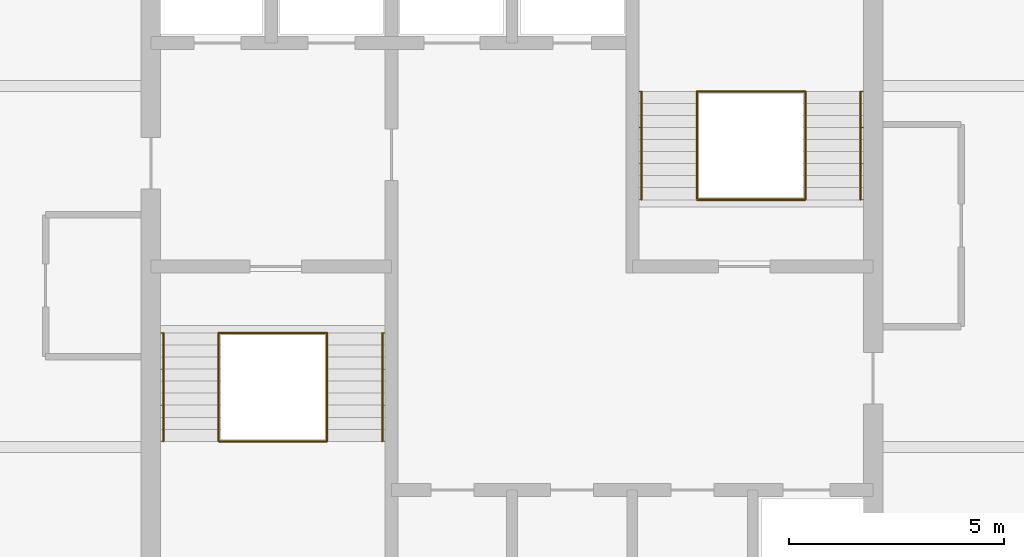
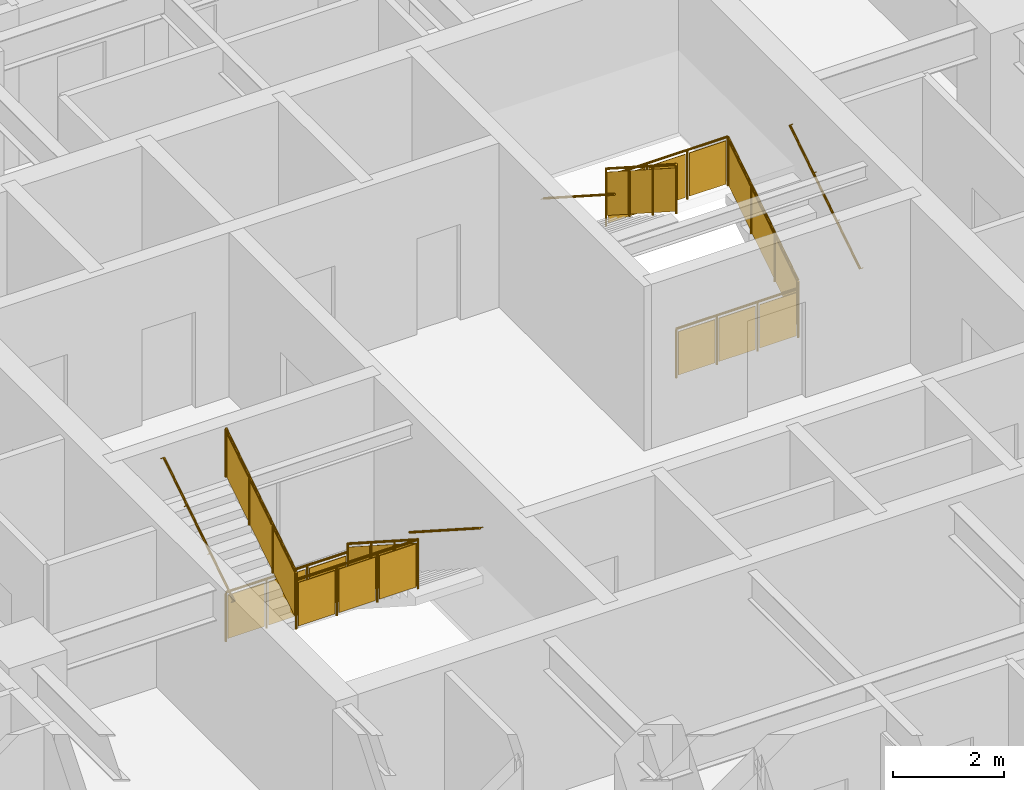
# One storey, part 10 of 10: 12 railings.
"""IFC4 building model written with IfcOpenShell, lengths in metres."""

from ifc_helpers import new_model, si_unit, direction, frame, origin, origin_2d, place, context, subcontext, project, spatial, polyline, circle, outline, extrude, material, type_object, element, save


model = new_model("IFC4")

# Units and contexts
model_context = context("Model", 3, precision=1e-05, world=origin(), true_north=direction((0.0, 1.0)))
body_context = subcontext(model_context, "Body", "Model", "MODEL_VIEW")
ifc_project = project(units=[si_unit("LENGTHUNIT", "METRE"), si_unit("AREAUNIT", "SQUARE_METRE"), si_unit("VOLUMEUNIT", "CUBIC_METRE"), si_unit("PLANEANGLEUNIT", "RADIAN"), si_unit("MASSUNIT", "GRAM", prefix="KILO")], contexts=[model_context])

# Site, building, storey
site_placement = place(None, origin())
site = spatial("IfcSite", under=ifc_project, at=site_placement, CompositionType="ELEMENT")
building_placement = place(site_placement, origin())
building = spatial("IfcBuilding", under=site, at=building_placement, Name="Torre Alcanfor", CompositionType="ELEMENT")
storey_placement = place(building_placement, frame((0.0, 0.0, 275.699951171875)))
storey = spatial("IfcBuildingStorey", under=building, at=storey_placement, Name="L72", CompositionType="ELEMENT", Elevation=275.699951171875)

# Railings
ifc_material_1 = material(Name="Steel ASTM A500 Grade C hollow sections", Category="steel")
railing_type_1 = type_object("IfcRailingType", Name="Stair guard and handrail 1100", PredefinedType="GUARDRAIL", material=ifc_material_1)
railing_1_placement = place(storey_placement, frame((25.10009765625, 27.85009765625, 0.179931640625)))
element("IfcRailing", 1, at=railing_1_placement, inside=storey, type_object=railing_type_1, Name="Stair guard S1 L72 flight 1", PredefinedType="GUARDRAIL", context=body_context, shape_type="SweptSolid", body=[
    extrude(circle(Radius=0.02392578125, at=origin_2d()), frame((0.0, 0.0, 1.076171875), z_axis=(0.0, -0.841162588446, 0.540782303519), x_axis=(1.0, 0.0, 0.0)), (0.0, 0.0, 1.0), 2.995849609375),
    extrude(circle(Radius=0.02099609375, at=origin_2d()), origin(), (0.0, 0.0, 1.0), 1.052001953125),
    extrude(circle(Radius=0.02099609375, at=origin_2d()), frame((0.0, -0.840087890625, 0.5400390625)), (0.0, 0.0, 1.0), 1.052001953125),
    extrude(circle(Radius=0.02099609375, at=origin_2d()), frame((0.0, -1.679931640625, 1.080078125)), (0.0, 0.0, 1.0), 1.052001953125),
    extrude(circle(Radius=0.02099609375, at=origin_2d()), frame((0.0, -2.52001953125, 1.6201171875)), (0.0, 0.0, 1.0), 1.052001953125),
    extrude(outline(polyline([(0.041015625, 0.076416015625), (0.799072265625, 0.563720703125), (0.799072265625, 1.515625), (0.041015625, 1.0283203125), (0.041015625, 0.076416015625)])), frame((0.005859375, 0.0, 0.0), z_axis=(-1.0, 0.0, 0.0), x_axis=(0.0, -1.0, 0.0)), (0.0, 0.0, 1.0), 0.011962890625),
    extrude(outline(polyline([(0.881103515625, 0.616455078125), (1.638916015625, 1.103759765625), (1.638916015625, 2.0556640625), (0.881103515625, 1.568359375), (0.881103515625, 0.616455078125)])), frame((0.005859375, 0.0, 0.0), z_axis=(-1.0, 0.0, 0.0), x_axis=(0.0, -1.0, 0.0)), (0.0, 0.0, 1.0), 0.011962890625),
    extrude(outline(polyline([(1.720947265625, 1.156494140625), (2.47900390625, 1.643798828125), (2.47900390625, 2.595703125), (1.720947265625, 2.1083984375), (1.720947265625, 1.156494140625)])), frame((0.005859375, 0.0, 0.0), z_axis=(-1.0, 0.0, 0.0), x_axis=(0.0, -1.0, 0.0)), (0.0, 0.0, 1.0), 0.011962890625),
])
railing_2_placement = place(storey_placement, frame((22.574951171875, 25.330078125, 1.97998046875)))
element("IfcRailing", 2, at=railing_2_placement, inside=storey, type_object=railing_type_1, Name="Stair guard S1 L72 flight 2", PredefinedType="GUARDRAIL", context=body_context, shape_type="SweptSolid", body=[
    extrude(circle(Radius=0.02392578125, at=origin_2d()), frame((0.0, 0.0, 1.076171875), z_axis=(0.0, 0.841162588446, 0.540782303519), x_axis=(-1.0, 0.0, 0.0)), (0.0, 0.0, 1.0), 2.995849609375),
    extrude(circle(Radius=0.02099609375, at=origin_2d()), origin(), (0.0, 0.0, 1.0), 1.052001953125),
    extrude(circle(Radius=0.02099609375, at=origin_2d()), frame((0.0, 0.840087890625, 0.5400390625)), (0.0, 0.0, 1.0), 1.052001953125),
    extrude(circle(Radius=0.02099609375, at=origin_2d()), frame((0.0, 1.679931640625, 1.080078125)), (0.0, 0.0, 1.0), 1.052001953125),
    extrude(circle(Radius=0.02099609375, at=origin_2d()), frame((0.0, 2.52001953125, 1.6201171875)), (0.0, 0.0, 1.0), 1.052001953125),
    extrude(outline(polyline([(0.041015625, 0.076416015625), (0.799072265625, 0.563720703125), (0.799072265625, 1.515625), (0.041015625, 1.0283203125), (0.041015625, 0.076416015625)])), frame((-0.005859375, 0.0, 0.0), z_axis=(1.0, 0.0, 0.0), x_axis=(0.0, 1.0, 0.0)), (0.0, 0.0, 1.0), 0.011962890625),
    extrude(outline(polyline([(0.881103515625, 0.616455078125), (1.638916015625, 1.103759765625), (1.638916015625, 2.0556640625), (0.881103515625, 1.568359375), (0.881103515625, 0.616455078125)])), frame((-0.005859375, 0.0, 0.0), z_axis=(1.0, 0.0, 0.0), x_axis=(0.0, 1.0, 0.0)), (0.0, 0.0, 1.0), 0.011962890625),
    extrude(outline(polyline([(1.720947265625, 1.156494140625), (2.47900390625, 1.643798828125), (2.47900390625, 2.595703125), (1.720947265625, 2.1083984375), (1.720947265625, 1.156494140625)])), frame((-0.005859375, 0.0, 0.0), z_axis=(1.0, 0.0, 0.0), x_axis=(0.0, 1.0, 0.0)), (0.0, 0.0, 1.0), 0.011962890625),
])
for number, where, name in (
    (3, (22.574951171875, 27.85009765625, 0.0), "Stair well guard S1 L72 floor landing"),
    (4, (22.574951171875, 25.330078125, 1.800048828125), "Stair well guard S1 L72 half landing"),
):
    element("IfcRailing", number, at=place(storey_placement, frame(where)), inside=storey, type_object=railing_type_1, Name=name, PredefinedType="GUARDRAIL", context=body_context, shape_type="SweptSolid", body=[
        extrude(circle(Radius=0.02392578125, at=origin_2d()), frame((0.0, 0.0, 1.076171875), z_axis=(1.0, 0.0, 0.0), x_axis=(0.0, 1.0, 0.0)), (0.0, 0.0, 1.0), 2.525146484375),
        extrude(circle(Radius=0.02099609375, at=origin_2d()), origin(), (0.0, 0.0, 1.0), 1.052001953125),
        extrude(circle(Radius=0.02099609375, at=origin_2d()), frame((0.841796875, 0.0, 0.0)), (0.0, 0.0, 1.0), 1.052001953125),
        extrude(circle(Radius=0.02099609375, at=origin_2d()), frame((1.683349609375, 0.0, 0.0)), (0.0, 0.0, 1.0), 1.052001953125),
        extrude(circle(Radius=0.02099609375, at=origin_2d()), frame((2.525146484375, 0.0, 0.0)), (0.0, 0.0, 1.0), 1.052001953125),
        extrude(outline(polyline([(0.041015625, 0.050048828125), (0.80078125, 0.050048828125), (0.80078125, 1.001953125), (0.041015625, 1.001953125), (0.041015625, 0.050048828125)])), frame((0.0, 0.005859375, 0.0), z_axis=(0.0, -1.0, 0.0), x_axis=(1.0, 0.0, 0.0)), (0.0, 0.0, 1.0), 0.011962890625),
        extrude(outline(polyline([(0.8828125, 0.050048828125), (1.642333984375, 0.050048828125), (1.642333984375, 1.001953125), (0.8828125, 1.001953125), (0.8828125, 0.050048828125)])), frame((0.0, 0.005859375, 0.0), z_axis=(0.0, -1.0, 0.0), x_axis=(1.0, 0.0, 0.0)), (0.0, 0.0, 1.0), 0.011962890625),
        extrude(outline(polyline([(1.724365234375, 0.050048828125), (2.484130859375, 0.050048828125), (2.484130859375, 1.001953125), (1.724365234375, 1.001953125), (1.724365234375, 0.050048828125)])), frame((0.0, 0.005859375, 0.0), z_axis=(0.0, -1.0, 0.0), x_axis=(1.0, 0.0, 0.0)), (0.0, 0.0, 1.0), 0.011962890625),
    ])
railing_3_placement = place(storey_placement, frame((36.22509765625, 30.949951171875, 0.179931640625)))
element("IfcRailing", 5, at=railing_3_placement, inside=storey, type_object=railing_type_1, Name="Stair guard S2 L72 flight 1", PredefinedType="GUARDRAIL", context=body_context, shape_type="SweptSolid", body=[
    extrude(circle(Radius=0.02392578125, at=origin_2d()), frame((0.0, 0.0, 1.076171875), z_axis=(0.0, 0.841162588446, 0.540782303519), x_axis=(-1.0, 0.0, 0.0)), (0.0, 0.0, 1.0), 2.995849609375),
    extrude(circle(Radius=0.02099609375, at=origin_2d()), origin(), (0.0, 0.0, 1.0), 1.052001953125),
    extrude(circle(Radius=0.02099609375, at=origin_2d()), frame((0.0, 0.840087890625, 0.5400390625)), (0.0, 0.0, 1.0), 1.052001953125),
    extrude(circle(Radius=0.02099609375, at=origin_2d()), frame((0.0, 1.679931640625, 1.080078125)), (0.0, 0.0, 1.0), 1.052001953125),
    extrude(circle(Radius=0.02099609375, at=origin_2d()), frame((0.0, 2.52001953125, 1.6201171875)), (0.0, 0.0, 1.0), 1.052001953125),
    extrude(outline(polyline([(0.041015625, 0.076416015625), (0.799072265625, 0.563720703125), (0.799072265625, 1.515625), (0.041015625, 1.0283203125), (0.041015625, 0.076416015625)])), frame((-0.005859375, 0.0, 0.0), z_axis=(1.0, 0.0, 0.0), x_axis=(0.0, 1.0, 0.0)), (0.0, 0.0, 1.0), 0.011962890625),
    extrude(outline(polyline([(0.881103515625, 0.616455078125), (1.638916015625, 1.103759765625), (1.638916015625, 2.0556640625), (0.881103515625, 1.568359375), (0.881103515625, 0.616455078125)])), frame((-0.005859375, 0.0, 0.0), z_axis=(1.0, 0.0, 0.0), x_axis=(0.0, 1.0, 0.0)), (0.0, 0.0, 1.0), 0.011962890625),
    extrude(outline(polyline([(1.720947265625, 1.156494140625), (2.47900390625, 1.643798828125), (2.47900390625, 2.595703125), (1.720947265625, 2.1083984375), (1.720947265625, 1.156494140625)])), frame((-0.005859375, 0.0, 0.0), z_axis=(1.0, 0.0, 0.0), x_axis=(0.0, 1.0, 0.0)), (0.0, 0.0, 1.0), 0.011962890625),
])
railing_4_placement = place(storey_placement, frame((33.699951171875, 33.469970703125, 1.97998046875)))
element("IfcRailing", 6, at=railing_4_placement, inside=storey, type_object=railing_type_1, Name="Stair guard S2 L72 flight 2", PredefinedType="GUARDRAIL", context=body_context, shape_type="SweptSolid", body=[
    extrude(circle(Radius=0.02392578125, at=origin_2d()), frame((0.0, 0.0, 1.076171875), z_axis=(0.0, -0.841162588446, 0.540782303519), x_axis=(1.0, 0.0, 0.0)), (0.0, 0.0, 1.0), 2.995849609375),
    extrude(circle(Radius=0.02099609375, at=origin_2d()), origin(), (0.0, 0.0, 1.0), 1.052001953125),
    extrude(circle(Radius=0.02099609375, at=origin_2d()), frame((0.0, -0.840087890625, 0.5400390625)), (0.0, 0.0, 1.0), 1.052001953125),
    extrude(circle(Radius=0.02099609375, at=origin_2d()), frame((0.0, -1.679931640625, 1.080078125)), (0.0, 0.0, 1.0), 1.052001953125),
    extrude(circle(Radius=0.02099609375, at=origin_2d()), frame((0.0, -2.52001953125, 1.6201171875)), (0.0, 0.0, 1.0), 1.052001953125),
    extrude(outline(polyline([(0.041015625, 0.076416015625), (0.799072265625, 0.563720703125), (0.799072265625, 1.515625), (0.041015625, 1.0283203125), (0.041015625, 0.076416015625)])), frame((0.005859375, 0.0, 0.0), z_axis=(-1.0, 0.0, 0.0), x_axis=(0.0, -1.0, 0.0)), (0.0, 0.0, 1.0), 0.011962890625),
    extrude(outline(polyline([(0.881103515625, 0.616455078125), (1.638916015625, 1.103759765625), (1.638916015625, 2.0556640625), (0.881103515625, 1.568359375), (0.881103515625, 0.616455078125)])), frame((0.005859375, 0.0, 0.0), z_axis=(-1.0, 0.0, 0.0), x_axis=(0.0, -1.0, 0.0)), (0.0, 0.0, 1.0), 0.011962890625),
    extrude(outline(polyline([(1.720947265625, 1.156494140625), (2.47900390625, 1.643798828125), (2.47900390625, 2.595703125), (1.720947265625, 2.1083984375), (1.720947265625, 1.156494140625)])), frame((0.005859375, 0.0, 0.0), z_axis=(-1.0, 0.0, 0.0), x_axis=(0.0, -1.0, 0.0)), (0.0, 0.0, 1.0), 0.011962890625),
])
for number, where, name in (
    (7, (33.699951171875, 30.949951171875, 0.0), "Stair well guard S2 L72 floor landing"),
    (8, (33.699951171875, 33.469970703125, 1.800048828125), "Stair well guard S2 L72 half landing"),
):
    element("IfcRailing", number, at=place(storey_placement, frame(where)), inside=storey, type_object=railing_type_1, Name=name, PredefinedType="GUARDRAIL", context=body_context, shape_type="SweptSolid", body=[
        extrude(circle(Radius=0.02392578125, at=origin_2d()), frame((0.0, 0.0, 1.076171875), z_axis=(1.0, 0.0, 0.0), x_axis=(0.0, 1.0, 0.0)), (0.0, 0.0, 1.0), 2.525146484375),
        extrude(circle(Radius=0.02099609375, at=origin_2d()), origin(), (0.0, 0.0, 1.0), 1.052001953125),
        extrude(circle(Radius=0.02099609375, at=origin_2d()), frame((0.841796875, 0.0, 0.0)), (0.0, 0.0, 1.0), 1.052001953125),
        extrude(circle(Radius=0.02099609375, at=origin_2d()), frame((1.683349609375, 0.0, 0.0)), (0.0, 0.0, 1.0), 1.052001953125),
        extrude(circle(Radius=0.02099609375, at=origin_2d()), frame((2.525146484375, 0.0, 0.0)), (0.0, 0.0, 1.0), 1.052001953125),
        extrude(outline(polyline([(0.041015625, 0.050048828125), (0.80078125, 0.050048828125), (0.80078125, 1.001953125), (0.041015625, 1.001953125), (0.041015625, 0.050048828125)])), frame((0.0, 0.005859375, 0.0), z_axis=(0.0, -1.0, 0.0), x_axis=(1.0, 0.0, 0.0)), (0.0, 0.0, 1.0), 0.011962890625),
        extrude(outline(polyline([(0.8828125, 0.050048828125), (1.642333984375, 0.050048828125), (1.642333984375, 1.001953125), (0.8828125, 1.001953125), (0.8828125, 0.050048828125)])), frame((0.0, 0.005859375, 0.0), z_axis=(0.0, -1.0, 0.0), x_axis=(1.0, 0.0, 0.0)), (0.0, 0.0, 1.0), 0.011962890625),
        extrude(outline(polyline([(1.724365234375, 0.050048828125), (2.484130859375, 0.050048828125), (2.484130859375, 1.001953125), (1.724365234375, 1.001953125), (1.724365234375, 0.050048828125)])), frame((0.0, 0.005859375, 0.0), z_axis=(0.0, -1.0, 0.0), x_axis=(1.0, 0.0, 0.0)), (0.0, 0.0, 1.0), 0.011962890625),
    ])
ifc_material_2 = material(Name="Steel ASTM A500 Grade C hollow sections", Category="steel")
railing_type_2 = type_object("IfcRailingType", Name="Stair wall handrail 900", PredefinedType="HANDRAIL", material=ifc_material_2)
railing_5_placement = place(storey_placement, frame((26.385009765625, 27.85009765625, 0.179931640625)))
element("IfcRailing", 9, at=railing_5_placement, inside=storey, type_object=railing_type_2, Name="Stair handrail S1 L72 flight 1", PredefinedType="HANDRAIL", context=body_context, shape_type="SweptSolid", body=[
    extrude(circle(Radius=0.02392578125, at=origin_2d()), frame((0.0, 0.0, 0.8759765625), z_axis=(0.0, -0.841162588446, 0.540782303519), x_axis=(1.0, 0.0, 0.0)), (0.0, 0.0, 1.0), 2.995849609375),
    extrude(circle(Radius=0.008056640625, at=origin_2d()), frame((0.0, 0.0, 0.8759765625), z_axis=(1.0, 0.0, 0.0), x_axis=(0.0, 0.0, 1.0)), (0.0, 0.0, 1.0), 0.06494140625),
    extrude(circle(Radius=0.008056640625, at=origin_2d()), frame((0.0, -0.840087890625, 1.416015625), z_axis=(1.0, 0.0, 0.0), x_axis=(0.0, 0.0, 1.0)), (0.0, 0.0, 1.0), 0.06494140625),
    extrude(circle(Radius=0.008056640625, at=origin_2d()), frame((0.0, -1.679931640625, 1.9560546875), z_axis=(1.0, 0.0, 0.0), x_axis=(0.0, 0.0, 1.0)), (0.0, 0.0, 1.0), 0.06494140625),
    extrude(circle(Radius=0.008056640625, at=origin_2d()), frame((0.0, -2.52001953125, 2.49609375), z_axis=(1.0, 0.0, 0.0), x_axis=(0.0, 0.0, 1.0)), (0.0, 0.0, 1.0), 0.06494140625),
])
railing_6_placement = place(storey_placement, frame((21.2900390625, 25.330078125, 1.97998046875)))
element("IfcRailing", 10, at=railing_6_placement, inside=storey, type_object=railing_type_2, Name="Stair handrail S1 L72 flight 2", PredefinedType="HANDRAIL", context=body_context, shape_type="SweptSolid", body=[
    extrude(circle(Radius=0.02392578125, at=origin_2d()), frame((0.0, 0.0, 0.8759765625), z_axis=(0.0, 0.841162588446, 0.540782303519), x_axis=(-1.0, 0.0, 0.0)), (0.0, 0.0, 1.0), 2.995849609375),
    extrude(circle(Radius=0.008056640625, at=origin_2d()), frame((0.0, 0.0, 0.8759765625), z_axis=(-1.0, 0.0, 0.0), x_axis=(0.0, 0.0, 1.0)), (0.0, 0.0, 1.0), 0.06494140625),
    extrude(circle(Radius=0.008056640625, at=origin_2d()), frame((0.0, 0.840087890625, 1.416015625), z_axis=(-1.0, 0.0, 0.0), x_axis=(0.0, 0.0, 1.0)), (0.0, 0.0, 1.0), 0.06494140625),
    extrude(circle(Radius=0.008056640625, at=origin_2d()), frame((0.0, 1.679931640625, 1.9560546875), z_axis=(-1.0, 0.0, 0.0), x_axis=(0.0, 0.0, 1.0)), (0.0, 0.0, 1.0), 0.06494140625),
    extrude(circle(Radius=0.008056640625, at=origin_2d()), frame((0.0, 2.52001953125, 2.49609375), z_axis=(-1.0, 0.0, 0.0), x_axis=(0.0, 0.0, 1.0)), (0.0, 0.0, 1.0), 0.06494140625),
])
railing_7_placement = place(storey_placement, frame((37.510009765625, 30.949951171875, 0.179931640625)))
element("IfcRailing", 11, at=railing_7_placement, inside=storey, type_object=railing_type_2, Name="Stair handrail S2 L72 flight 1", PredefinedType="HANDRAIL", context=body_context, shape_type="SweptSolid", body=[
    extrude(circle(Radius=0.02392578125, at=origin_2d()), frame((0.0, 0.0, 0.8759765625), z_axis=(0.0, 0.841162588446, 0.540782303519), x_axis=(-1.0, 0.0, 0.0)), (0.0, 0.0, 1.0), 2.995849609375),
    extrude(circle(Radius=0.008056640625, at=origin_2d()), frame((0.0, 0.0, 0.8759765625), z_axis=(1.0, 0.0, 0.0), x_axis=(0.0, 0.0, 1.0)), (0.0, 0.0, 1.0), 0.06494140625),
    extrude(circle(Radius=0.008056640625, at=origin_2d()), frame((0.0, 0.840087890625, 1.416015625), z_axis=(1.0, 0.0, 0.0), x_axis=(0.0, 0.0, 1.0)), (0.0, 0.0, 1.0), 0.06494140625),
    extrude(circle(Radius=0.008056640625, at=origin_2d()), frame((0.0, 1.679931640625, 1.9560546875), z_axis=(1.0, 0.0, 0.0), x_axis=(0.0, 0.0, 1.0)), (0.0, 0.0, 1.0), 0.06494140625),
    extrude(circle(Radius=0.008056640625, at=origin_2d()), frame((0.0, 2.52001953125, 2.49609375), z_axis=(1.0, 0.0, 0.0), x_axis=(0.0, 0.0, 1.0)), (0.0, 0.0, 1.0), 0.06494140625),
])
railing_8_placement = place(storey_placement, frame((32.4150390625, 33.469970703125, 1.97998046875)))
element("IfcRailing", 12, at=railing_8_placement, inside=storey, type_object=railing_type_2, Name="Stair handrail S2 L72 flight 2", PredefinedType="HANDRAIL", context=body_context, shape_type="SweptSolid", body=[
    extrude(circle(Radius=0.02392578125, at=origin_2d()), frame((0.0, 0.0, 0.8759765625), z_axis=(0.0, -0.841162588446, 0.540782303519), x_axis=(1.0, 0.0, 0.0)), (0.0, 0.0, 1.0), 2.995849609375),
    extrude(circle(Radius=0.008056640625, at=origin_2d()), frame((0.0, 0.0, 0.8759765625), z_axis=(-1.0, 0.0, 0.0), x_axis=(0.0, 0.0, 1.0)), (0.0, 0.0, 1.0), 0.06494140625),
    extrude(circle(Radius=0.008056640625, at=origin_2d()), frame((0.0, -0.840087890625, 1.416015625), z_axis=(-1.0, 0.0, 0.0), x_axis=(0.0, 0.0, 1.0)), (0.0, 0.0, 1.0), 0.06494140625),
    extrude(circle(Radius=0.008056640625, at=origin_2d()), frame((0.0, -1.679931640625, 1.9560546875), z_axis=(-1.0, 0.0, 0.0), x_axis=(0.0, 0.0, 1.0)), (0.0, 0.0, 1.0), 0.06494140625),
    extrude(circle(Radius=0.008056640625, at=origin_2d()), frame((0.0, -2.52001953125, 2.49609375), z_axis=(-1.0, 0.0, 0.0), x_axis=(0.0, 0.0, 1.0)), (0.0, 0.0, 1.0), 0.06494140625),
])

save(model, "model.ifc")
